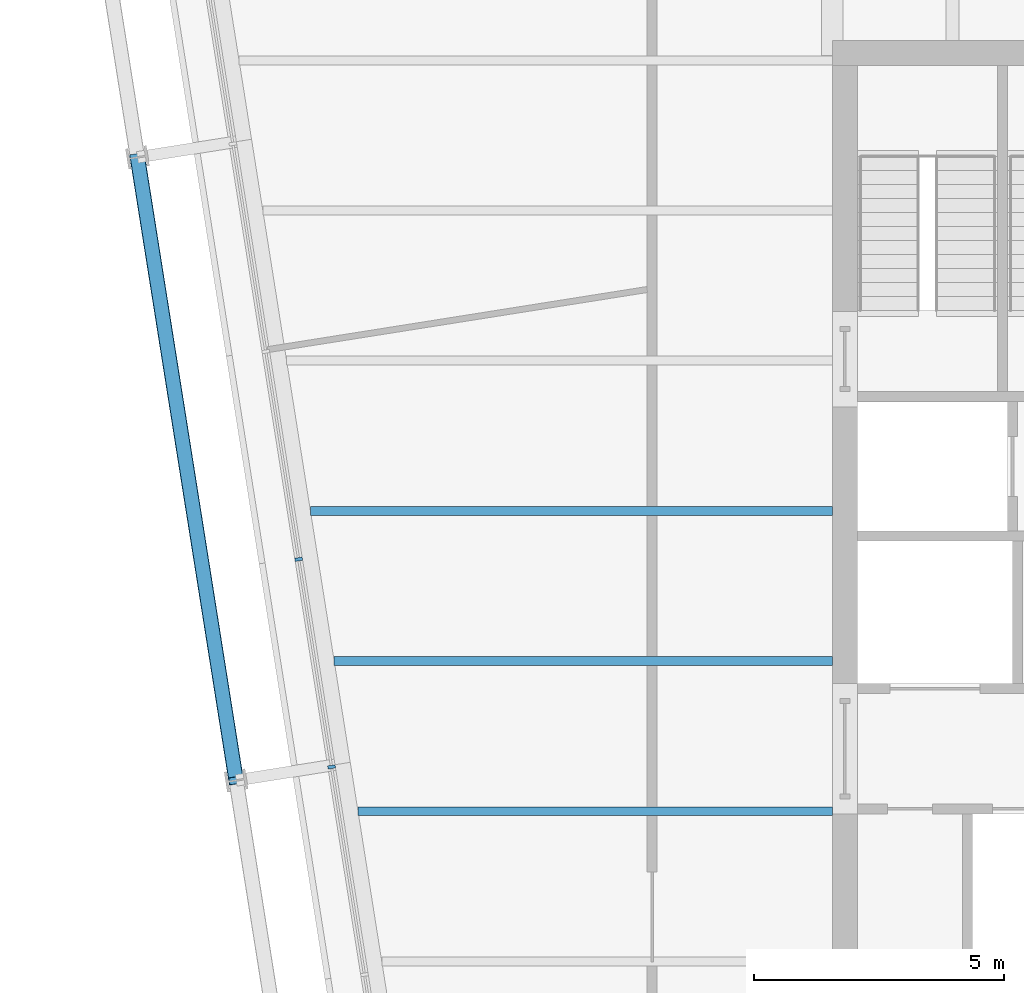
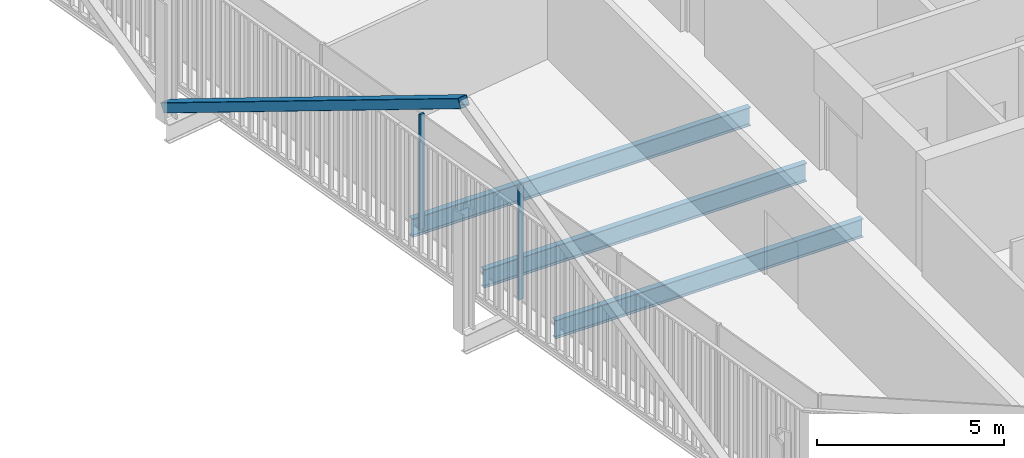
# One storey, part 5 of 21: 3 beams, 3 members, 1 element without a shape of its own.
"""IFC4 building model written with IfcOpenShell, lengths in metres."""

from ifc_helpers import new_model, si_unit, direction, frame, origin, origin_2d, place, context, subcontext, project, spatial, rectangle, hollow_rectangle, i_section, extrude, material, layer, layer_set, material_profile, profile_set, type_object, element, aggregate, save


model = new_model("IFC4")

# Units and contexts
model_context = context("Model", 3, precision=1e-05, world=origin(), true_north=direction((0.0, 1.0)))
body_context = subcontext(model_context, "Body", "Model", "MODEL_VIEW")
ifc_project = project(units=[si_unit("LENGTHUNIT", "METRE"), si_unit("AREAUNIT", "SQUARE_METRE"), si_unit("VOLUMEUNIT", "CUBIC_METRE"), si_unit("PLANEANGLEUNIT", "RADIAN"), si_unit("MASSUNIT", "GRAM", prefix="KILO")], contexts=[model_context])

# Site, building, storey
site_placement = place(None, origin())
site = spatial("IfcSite", under=ifc_project, at=site_placement, CompositionType="ELEMENT")
building_placement = place(site_placement, origin())
building = spatial("IfcBuilding", under=site, at=building_placement, Name="Millrace Tower", CompositionType="ELEMENT")
storey_placement = place(building_placement, frame((0.0, 0.0, 220.300048828125)))
storey = spatial("IfcBuildingStorey", under=building, at=storey_placement, Name="L50", CompositionType="ELEMENT", Elevation=220.300048828125)

# Curtain wall, members
ifc_material_1 = material(Name="Aluminium and glass", Category="aluminium")
ifc_layer = layer(ifc_material_1, 0.14990234375)
ifc_layer_set = layer_set([ifc_layer], Name="Aluminium and glass")
curtain_wall_type = type_object("IfcCurtainWallType", Name="CW-1 office vision curtain wall", PredefinedType="NOTDEFINED", material=ifc_layer_set)
curtain_wall_placement = place(storey_placement, origin())
curtain_wall = element("IfcCurtainWall", 1, at=curtain_wall_placement, inside=storey, type_object=curtain_wall_type, Name="Curtain wall D-F08 L50", PredefinedType="NOTDEFINED")
ifc_material_2 = material(Name="Aluminium", Category="aluminium")
ifc_material_profile_1 = material_profile(ifc_material_2, rectangle(XDim=0.06494140625, YDim=0.14990234375, at=origin_2d()))
ifc_profile_set_1 = profile_set([ifc_material_profile_1], Name="Aluminium")
member_type_1 = type_object("IfcMemberType", Name="CW-1 office vision curtain wall mullion", PredefinedType="MULLION", material=ifc_profile_set_1)
member_1_placement = place(storey_placement, frame((-25.057373046875, -0.966064453125, 0.139892578125), z_axis=(0.0, 0.0, 1.0), x_axis=(0.156434471884, -0.987688339511, 0.0)))
member_1 = element("IfcMember", 2, at=member_1_placement, type_object=member_type_1, Name="CW1 mullion D-F08.6", PredefinedType="MULLION", context=body_context, shape_type="SweptSolid", body=[
    extrude(rectangle(XDim=0.06494140625, YDim=0.14990234375, at=origin_2d()), origin(), (0.0, 0.0, 1.0), 3.760009765625),
])
member_2_placement = place(storey_placement, frame((-24.400390625, -5.1142578125, 0.139892578125), z_axis=(0.0, 0.0, 1.0), x_axis=(0.156434471884, -0.987688339511, 0.0)))
member_2 = element("IfcMember", 3, at=member_2_placement, type_object=member_type_1, Name="CW1 mullion D-F08.7", PredefinedType="MULLION", context=body_context, shape_type="SweptSolid", body=[
    extrude(rectangle(XDim=0.06494140625, YDim=0.14990234375, at=origin_2d()), origin(), (0.0, 0.0, 1.0), 3.760009765625),
])
aggregate(curtain_wall, [member_1, member_2])

# Member
ifc_material_3 = material(Name="Steel ASTM A500 Grade C", Category="steel")
ifc_material_profile_2 = material_profile(ifc_material_3, hollow_rectangle(XDim=0.3046875, YDim=0.3046875, WallThickness=0.0126953125, InnerFilletRadius=0.00634765625, OuterFilletRadius=0.01904296875, at=origin_2d()))
ifc_profile_set_2 = profile_set([ifc_material_profile_2], Name="Steel ASTM A500 Grade C")
member_type_2 = type_object("IfcMemberType", Name="Exoskeleton brace HSS12x12x1/2", PredefinedType="BRACE", material=ifc_profile_set_2)
member_3_placement = place(storey_placement, frame((-28.27783203125, 7.0615234375, 0.39990234375), z_axis=(0.136756701563, -0.863393126764, 0.485643813132), x_axis=(0.987686809102, 0.1564441342, 0.0)))
element("IfcMember", 4, at=member_3_placement, inside=storey, type_object=member_type_2, Name="BRC-D-L50-15", PredefinedType="BRACE", context=body_context, shape_type="SweptSolid", body=[
    extrude(hollow_rectangle(XDim=0.3046875, YDim=0.3046875, WallThickness=0.0126953125, InnerFilletRadius=0.00634765625, OuterFilletRadius=0.01904296875, at=origin_2d()), origin(), (0.0, 0.0, 1.0), 14.413818359375),
])

# Beams
ifc_material_4 = material(Name="Steel ASTM A992 Grade 50", Category="steel")
ifc_material_profile_3 = material_profile(ifc_material_4, i_section(OverallWidth=0.177978515625, OverallDepth=0.599365234375, WebThickness=0.010009765625, FlangeThickness=0.012939453125, FilletRadius=0.012939453125, at=origin_2d()))
ifc_profile_set_3 = profile_set([ifc_material_profile_3], Name="Steel ASTM A992 Grade 50")
beam_type_1 = type_object("IfcBeamType", Name="Floor beam W24x55", PredefinedType="JOIST", material=ifc_profile_set_3)
beam_1_placement = place(storey_placement, frame((-23.872802734375, -6.0, -0.459716796875), z_axis=(1.0, 0.0, 0.0), x_axis=(0.0, 1.0, 0.0)))
element("IfcBeam", 5, at=beam_1_placement, inside=storey, type_object=beam_type_1, Name="BM-D-L50-S1-S009", PredefinedType="JOIST", context=body_context, shape_type="SweptSolid", body=[
    extrude(i_section(OverallWidth=0.177978515625, OverallDepth=0.599365234375, WebThickness=0.010009765625, FlangeThickness=0.012939453125, FilletRadius=0.012939453125, at=origin_2d()), origin(), (0.0, 0.0, 1.0), 9.472900390625),
])
beam_2_placement = place(storey_placement, frame((-24.34814453125, -3.0, -0.459716796875), z_axis=(1.0, 0.0, 0.0), x_axis=(0.0, 1.0, 0.0)))
element("IfcBeam", 6, at=beam_2_placement, inside=storey, type_object=beam_type_1, Name="BM-D-L50-S1-S012", PredefinedType="JOIST", context=body_context, shape_type="SweptSolid", body=[
    extrude(i_section(OverallWidth=0.177978515625, OverallDepth=0.599365234375, WebThickness=0.010009765625, FlangeThickness=0.012939453125, FilletRadius=0.012939453125, at=origin_2d()), origin(), (0.0, 0.0, 1.0), 9.9482421875),
])
ifc_material_5 = material(Name="Steel ASTM A992 Grade 50", Category="steel")
ifc_material_profile_4 = material_profile(ifc_material_5, i_section(OverallWidth=0.1787109375, OverallDepth=0.60205078125, WebThickness=0.010986328125, FlangeThickness=0.014892578125, FilletRadius=0.0126953125, at=origin_2d()))
ifc_profile_set_4 = profile_set([ifc_material_profile_4], Name="Steel ASTM A992 Grade 50")
beam_type_2 = type_object("IfcBeamType", Name="Floor beam W24x62", PredefinedType="JOIST", material=ifc_profile_set_4)
beam_3_placement = place(storey_placement, frame((-24.8232421875, 0.0, -0.4609375), z_axis=(1.0, 0.0, 0.0), x_axis=(0.0, 1.0, 0.0)))
element("IfcBeam", 7, at=beam_3_placement, inside=storey, type_object=beam_type_2, Name="BM-D-L50-S1-S015", PredefinedType="JOIST", context=body_context, shape_type="SweptSolid", body=[
    extrude(i_section(OverallWidth=0.1787109375, OverallDepth=0.60205078125, WebThickness=0.010986328125, FlangeThickness=0.014892578125, FilletRadius=0.0126953125, at=origin_2d()), origin(), (0.0, 0.0, 1.0), 10.42333984375),
])

save(model, "model.ifc")
